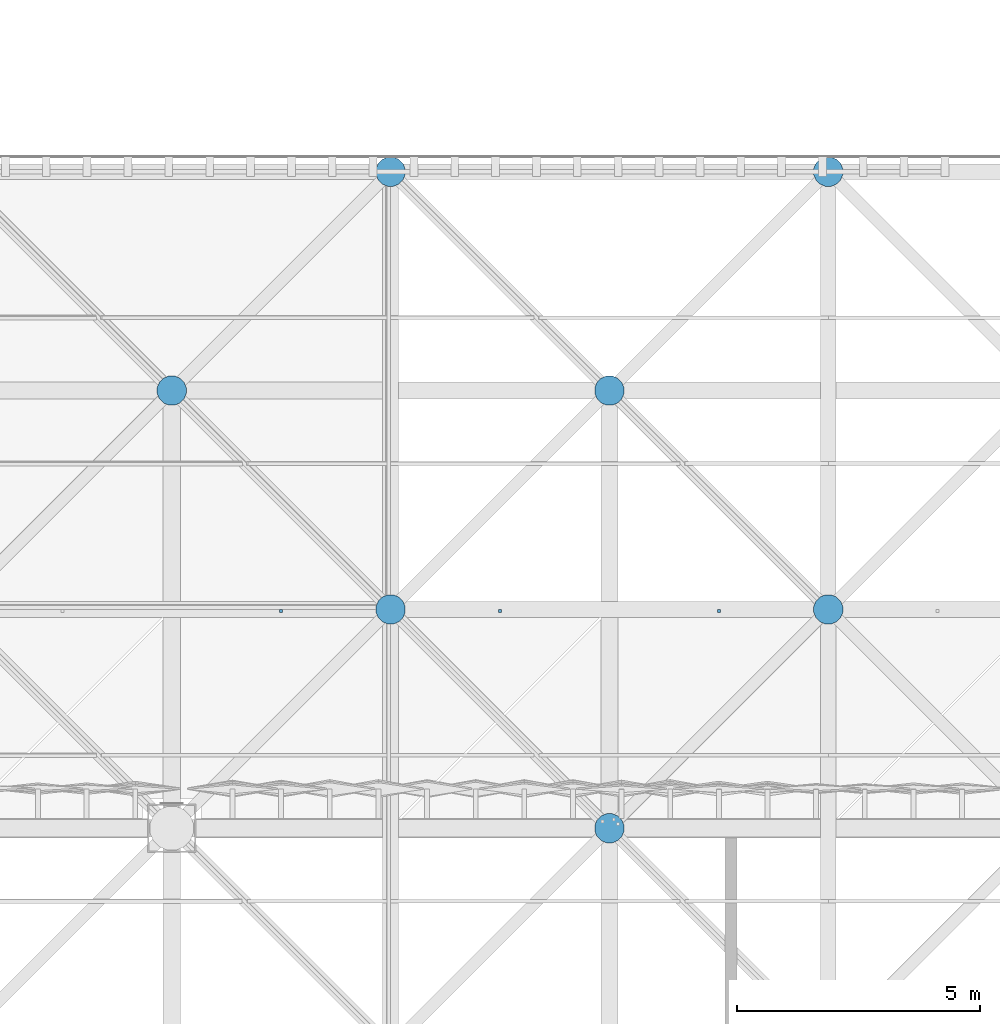
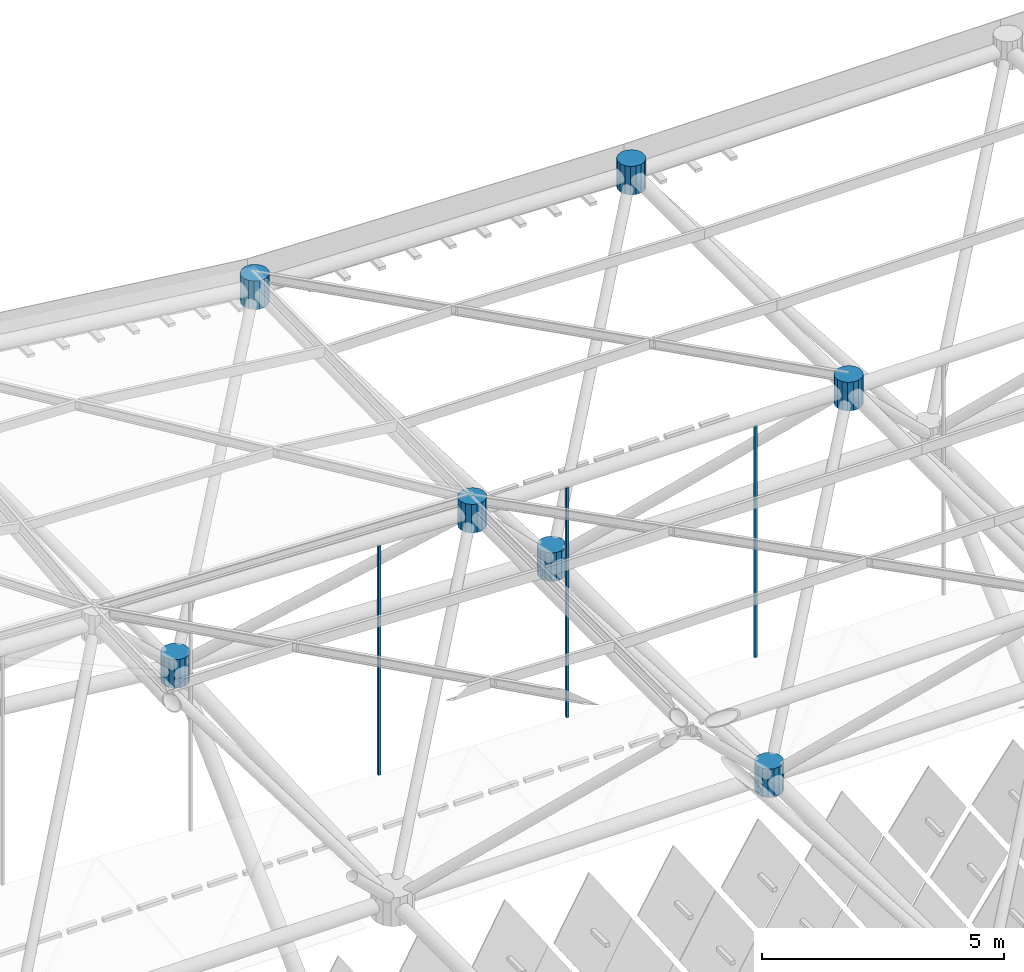
# One storey, part 323 of 437: 10 discrete accessories.
"""IFC4 building model written with IfcOpenShell, lengths in metres."""

from ifc_helpers import new_model, si_unit, direction, frame, origin, place, context, subcontext, project, spatial, polyline, outline, extrude, material, type_object, element, save


model = new_model("IFC4")

# Units and contexts
model_context = context("Model", 3, precision=1e-05, world=origin(), true_north=direction((0.0, 1.0)))
body_context = subcontext(model_context, "Body", "Model", "MODEL_VIEW")
ifc_project = project(units=[si_unit("LENGTHUNIT", "METRE"), si_unit("AREAUNIT", "SQUARE_METRE"), si_unit("VOLUMEUNIT", "CUBIC_METRE"), si_unit("PLANEANGLEUNIT", "RADIAN"), si_unit("MASSUNIT", "GRAM", prefix="KILO")], contexts=[model_context])

# Site, building, storey
site_placement = place(None, origin())
site = spatial("IfcSite", under=ifc_project, at=site_placement, CompositionType="ELEMENT")
building_placement = place(site_placement, origin())
building = spatial("IfcBuilding", under=site, at=building_placement, Name="Opaline Strait Convention Centre", CompositionType="ELEMENT")
storey_placement = place(building_placement, frame((0.0, 0.0, 11.5)))
storey = spatial("IfcBuildingStorey", under=building, at=storey_placement, Name="L02", CompositionType="ELEMENT", Elevation=11.5)

# Discrete accessories
ifc_material_1 = material(Name="Steel Q355B", Category="steel")
discrete_accessory_type_1 = type_object("IfcDiscreteAccessoryType", Name="Soffit hanger 60x60 steel", PredefinedType="BRACKET", material=ifc_material_1)
discrete_accessory_1_placement = place(storey_placement, frame((0.0, 0.0, 12.163818359375)))
element("IfcDiscreteAccessory", 1, at=discrete_accessory_1_placement, inside=storey, type_object=discrete_accessory_type_1, Name="Soffit hanger", PredefinedType="BRACKET", context=body_context, shape_type="SweptSolid", body=[
    extrude(outline(polyline([(137.219970703125, 157.43505859375), (137.280029296875, 157.43505859375), (137.280029296875, 157.4951171875), (137.219970703125, 157.4951171875), (137.219970703125, 157.43505859375)])), origin(), (0.0, 0.0, 1.0), 5.794677734375),
])
discrete_accessory_2_placement = place(storey_placement, frame((0.0, 0.0, 12.051513671875)))
element("IfcDiscreteAccessory", 2, at=discrete_accessory_2_placement, inside=storey, type_object=discrete_accessory_type_1, Name="Soffit hanger", PredefinedType="BRACKET", context=body_context, shape_type="SweptSolid", body=[
    extrude(outline(polyline([(141.719970703125, 157.43505859375), (141.780029296875, 157.43505859375), (141.780029296875, 157.4951171875), (141.719970703125, 157.4951171875), (141.719970703125, 157.43505859375)])), origin(), (0.0, 0.0, 1.0), 5.806640625),
])
discrete_accessory_3_placement = place(storey_placement, frame((0.0, 0.0, 11.993408203125)))
element("IfcDiscreteAccessory", 3, at=discrete_accessory_3_placement, inside=storey, type_object=discrete_accessory_type_1, Name="Soffit hanger", PredefinedType="BRACKET", context=body_context, shape_type="SweptSolid", body=[
    extrude(outline(polyline([(146.219970703125, 157.43505859375), (146.280029296875, 157.43505859375), (146.280029296875, 157.4951171875), (146.219970703125, 157.4951171875), (146.219970703125, 157.43505859375)])), origin(), (0.0, 0.0, 1.0), 5.83203125),
])
ifc_material_2 = material(Name="Cast steel ZG300-500H (300 MPa)", Category="steel")
discrete_accessory_type_2 = type_object("IfcDiscreteAccessoryType", Name="Space frame node hub D600", PredefinedType="USERDEFINED", material=ifc_material_2)
discrete_accessory_4_placement = place(storey_placement, frame((0.0, 0.0, 17.677001953125)))
element("IfcDiscreteAccessory", 4, at=discrete_accessory_4_placement, inside=storey, type_object=discrete_accessory_type_2, Name="Top node 7/14", ObjectType="NODE HUB", PredefinedType="USERDEFINED", context=body_context, shape_type="SweptSolid", body=[
    extrude(outline(polyline([(139.800048828125, 157.559814453125), (139.75439453125, 157.669921875), (139.669921875, 157.75439453125), (139.559814453125, 157.800048828125), (139.440185546875, 157.800048828125), (139.330078125, 157.75439453125), (139.24560546875, 157.669921875), (139.199951171875, 157.559814453125), (139.199951171875, 157.440185546875), (139.24560546875, 157.330078125), (139.330078125, 157.24560546875), (139.440185546875, 157.199951171875), (139.559814453125, 157.199951171875), (139.669921875, 157.24560546875), (139.75439453125, 157.330078125), (139.800048828125, 157.440185546875), (139.800048828125, 157.559814453125)])), origin(), (0.0, 0.0, 1.0), 0.719970703125),
])
discrete_accessory_5_placement = place(storey_placement, frame((0.0, 0.0, 17.8642578125)))
element("IfcDiscreteAccessory", 5, at=discrete_accessory_5_placement, inside=storey, type_object=discrete_accessory_type_2, Name="Top node 7/15", ObjectType="NODE HUB", PredefinedType="USERDEFINED", context=body_context, shape_type="SweptSolid", body=[
    extrude(outline(polyline([(139.800048828125, 166.559814453125), (139.75439453125, 166.669921875), (139.669921875, 166.75439453125), (139.559814453125, 166.800048828125), (139.440185546875, 166.800048828125), (139.330078125, 166.75439453125), (139.24560546875, 166.669921875), (139.199951171875, 166.559814453125), (139.199951171875, 166.440185546875), (139.24560546875, 166.330078125), (139.330078125, 166.24560546875), (139.440185546875, 166.199951171875), (139.559814453125, 166.199951171875), (139.669921875, 166.24560546875), (139.75439453125, 166.330078125), (139.800048828125, 166.440185546875), (139.800048828125, 166.559814453125)])), origin(), (0.0, 0.0, 1.0), 0.719970703125),
])
discrete_accessory_6_placement = place(storey_placement, frame((0.0, 0.0, 17.611572265625)))
element("IfcDiscreteAccessory", 6, at=discrete_accessory_6_placement, inside=storey, type_object=discrete_accessory_type_2, Name="Top node 8/14", ObjectType="NODE HUB", PredefinedType="USERDEFINED", context=body_context, shape_type="SweptSolid", body=[
    extrude(outline(polyline([(148.800048828125, 157.559814453125), (148.75439453125, 157.669921875), (148.669921875, 157.75439453125), (148.559814453125, 157.800048828125), (148.440185546875, 157.800048828125), (148.330078125, 157.75439453125), (148.24560546875, 157.669921875), (148.199951171875, 157.559814453125), (148.199951171875, 157.440185546875), (148.24560546875, 157.330078125), (148.330078125, 157.24560546875), (148.440185546875, 157.199951171875), (148.559814453125, 157.199951171875), (148.669921875, 157.24560546875), (148.75439453125, 157.330078125), (148.800048828125, 157.440185546875), (148.800048828125, 157.559814453125)])), origin(), (0.0, 0.0, 1.0), 0.719970703125),
])
discrete_accessory_7_placement = place(storey_placement, frame((0.0, 0.0, 17.611572265625)))
element("IfcDiscreteAccessory", 7, at=discrete_accessory_7_placement, inside=storey, type_object=discrete_accessory_type_2, Name="Top node 8/15", ObjectType="NODE HUB", PredefinedType="USERDEFINED", context=body_context, shape_type="SweptSolid", body=[
    extrude(outline(polyline([(148.800048828125, 166.559814453125), (148.75439453125, 166.669921875), (148.669921875, 166.75439453125), (148.559814453125, 166.800048828125), (148.440185546875, 166.800048828125), (148.330078125, 166.75439453125), (148.24560546875, 166.669921875), (148.199951171875, 166.559814453125), (148.199951171875, 166.440185546875), (148.24560546875, 166.330078125), (148.330078125, 166.24560546875), (148.440185546875, 166.199951171875), (148.559814453125, 166.199951171875), (148.669921875, 166.24560546875), (148.75439453125, 166.330078125), (148.800048828125, 166.440185546875), (148.800048828125, 166.559814453125)])), origin(), (0.0, 0.0, 1.0), 0.719970703125),
])
discrete_accessory_8_placement = place(storey_placement, frame((0.0, 0.0, 12.599365234375)))
element("IfcDiscreteAccessory", 8, at=discrete_accessory_8_placement, inside=storey, type_object=discrete_accessory_type_2, Name="Bottom node 6/14", ObjectType="NODE HUB", PredefinedType="USERDEFINED", context=body_context, shape_type="SweptSolid", body=[
    extrude(outline(polyline([(135.300048828125, 162.059814453125), (135.25439453125, 162.169921875), (135.169921875, 162.25439453125), (135.059814453125, 162.300048828125), (134.940185546875, 162.300048828125), (134.830078125, 162.25439453125), (134.74560546875, 162.169921875), (134.699951171875, 162.059814453125), (134.699951171875, 161.940185546875), (134.74560546875, 161.830078125), (134.830078125, 161.74560546875), (134.940185546875, 161.699951171875), (135.059814453125, 161.699951171875), (135.169921875, 161.74560546875), (135.25439453125, 161.830078125), (135.300048828125, 161.940185546875), (135.300048828125, 162.059814453125)])), origin(), (0.0, 0.0, 1.0), 0.719970703125),
])
discrete_accessory_9_placement = place(storey_placement, frame((0.0, 0.0, 12.139892578125)))
element("IfcDiscreteAccessory", 9, at=discrete_accessory_9_placement, inside=storey, type_object=discrete_accessory_type_2, Name="Bottom node 7/13", ObjectType="NODE HUB", PredefinedType="USERDEFINED", context=body_context, shape_type="SweptSolid", body=[
    extrude(outline(polyline([(144.300048828125, 153.059814453125), (144.25439453125, 153.169921875), (144.169921875, 153.25439453125), (144.059814453125, 153.300048828125), (143.940185546875, 153.300048828125), (143.830078125, 153.25439453125), (143.74560546875, 153.169921875), (143.699951171875, 153.059814453125), (143.699951171875, 152.940185546875), (143.74560546875, 152.830078125), (143.830078125, 152.74560546875), (143.940185546875, 152.699951171875), (144.059814453125, 152.699951171875), (144.169921875, 152.74560546875), (144.25439453125, 152.830078125), (144.300048828125, 152.940185546875), (144.300048828125, 153.059814453125)])), origin(), (0.0, 0.0, 1.0), 0.72021484375),
])
discrete_accessory_10_placement = place(storey_placement, frame((0.0, 0.0, 12.14892578125)))
element("IfcDiscreteAccessory", 10, at=discrete_accessory_10_placement, inside=storey, type_object=discrete_accessory_type_2, Name="Bottom node 7/14", ObjectType="NODE HUB", PredefinedType="USERDEFINED", context=body_context, shape_type="SweptSolid", body=[
    extrude(outline(polyline([(144.300048828125, 162.059814453125), (144.25439453125, 162.169921875), (144.169921875, 162.25439453125), (144.059814453125, 162.300048828125), (143.940185546875, 162.300048828125), (143.830078125, 162.25439453125), (143.74560546875, 162.169921875), (143.699951171875, 162.059814453125), (143.699951171875, 161.940185546875), (143.74560546875, 161.830078125), (143.830078125, 161.74560546875), (143.940185546875, 161.699951171875), (144.059814453125, 161.699951171875), (144.169921875, 161.74560546875), (144.25439453125, 161.830078125), (144.300048828125, 161.940185546875), (144.300048828125, 162.059814453125)])), origin(), (0.0, 0.0, 1.0), 0.719970703125),
])

save(model, "model.ifc")
